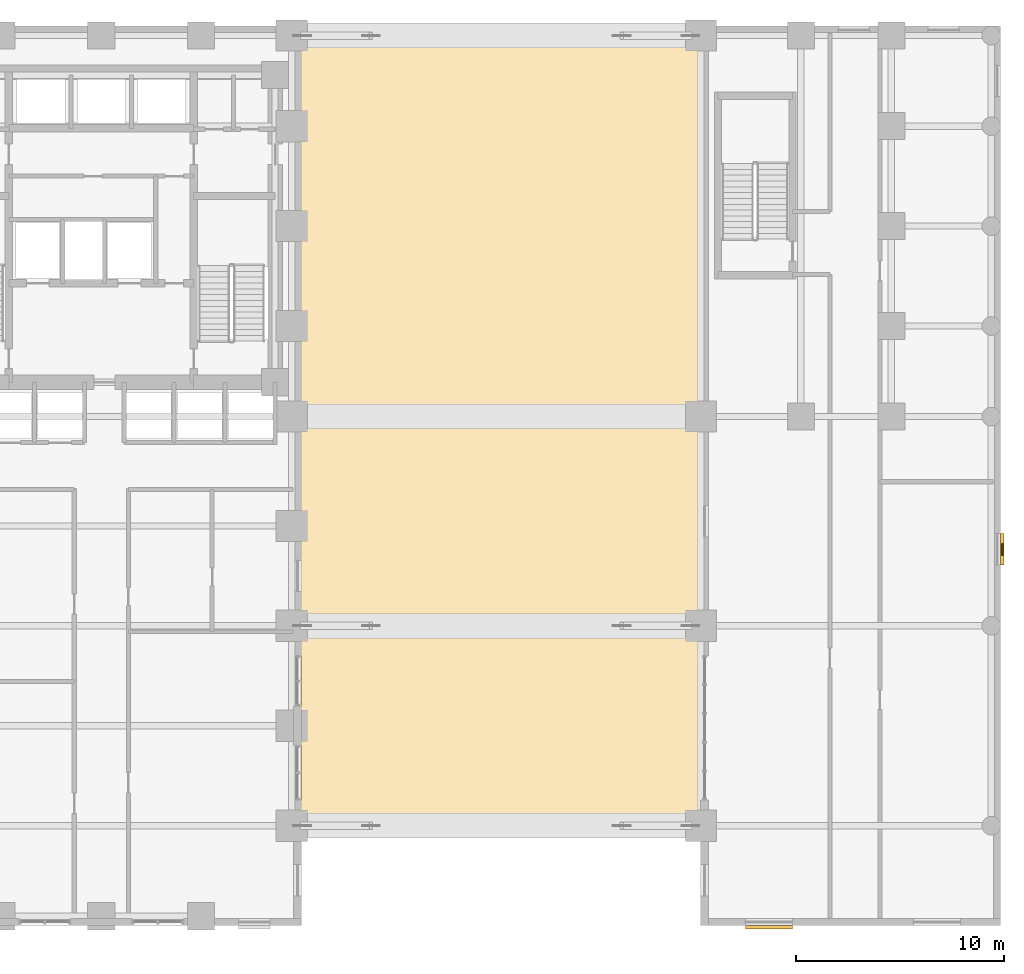
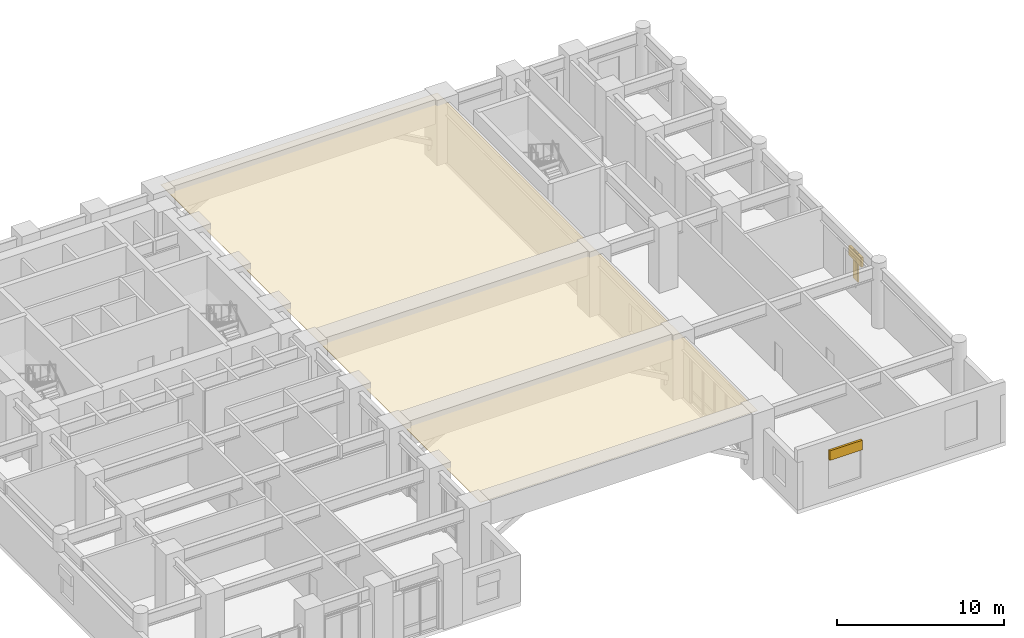
# One storey, part 11 of 12: 3 shading devices, 1 covering.
"""IFC4 building model written with IfcOpenShell, lengths in metres."""

from ifc_helpers import new_model, si_unit, direction, frame, origin, origin_2d, place, context, subcontext, project, spatial, polyline, rectangle, outline, extrude, material, layer, layer_set, type_object, element, save


model = new_model("IFC4")

# Units and contexts
model_context = context("Model", 3, precision=1e-05, world=origin(), true_north=direction((0.0, 1.0)))
body_context = subcontext(model_context, "Body", "Model", "MODEL_VIEW")
ifc_project = project(units=[si_unit("LENGTHUNIT", "METRE"), si_unit("AREAUNIT", "SQUARE_METRE"), si_unit("VOLUMEUNIT", "CUBIC_METRE"), si_unit("PLANEANGLEUNIT", "RADIAN"), si_unit("MASSUNIT", "GRAM", prefix="KILO")], contexts=[model_context])

# Site, building, storey
site_placement = place(None, origin())
site = spatial("IfcSite", under=ifc_project, at=site_placement, CompositionType="ELEMENT")
building_placement = place(site_placement, origin())
building = spatial("IfcBuilding", under=site, at=building_placement, Name="Orvandelia Arch Residences", CompositionType="ELEMENT")
storey_placement = place(building_placement, frame((0.0, 0.0, 10.0)))
storey = spatial("IfcBuildingStorey", under=building, at=storey_placement, Name="L02", CompositionType="ELEMENT", Elevation=10.0)

# Covering
ifc_material_1 = material(Name="Anodised Bronze Soffit Cladding")
ifc_layer = layer(ifc_material_1, 0.02490234375, Name="Anodised Bronze Soffit Cladding")
ifc_layer_set = layer_set([ifc_layer], Name="Anodised Bronze Soffit Cladding")
covering_type = type_object("IfcCoveringType", Name="COV-SOFFIT-ALU", PredefinedType="WRAPPING", material=ifc_layer_set)
covering_placement = place(storey_placement, frame((0.0, 0.0, 4.375)))
element("IfcCovering", 1, at=covering_placement, inside=storey, type_object=covering_type, Name="Giant Street Arch Acoustic Bronze Soffit", PredefinedType="WRAPPING", context=body_context, shape_type="SweptSolid", body=[
    extrude(outline(polyline([(24.0, 9.60009765625), (43.199951171875, 9.60009765625), (43.199951171875, 48.0), (24.0, 48.0), (24.0, 9.60009765625)])), origin(), (0.0, 0.0, 1.0), 0.02490234375),
])

# Shading devices
ifc_material_2 = material(Name="Anodised Champagne-Bronze Extruded Aluminium", Category="aluminium")
shading_device_type_1 = type_object("IfcShadingDeviceType", Name="SHD-JALOUSIE-SCREEN", PredefinedType="JALOUSIE", material=ifc_material_2)
shading_device_1_placement = place(storey_placement, frame((57.679931640625, 22.875, 2.25), z_axis=(0.0, 0.0, 1.0), x_axis=(0.0, -1.0, 0.0)))
element("IfcShadingDevice", 2, at=shading_device_1_placement, inside=storey, type_object=shading_device_type_1, Name="Bronze Jalousie Sun-Shade L02-003", PredefinedType="JALOUSIE", context=body_context, shape_type="SweptSolid", body=[
    extrude(rectangle(XDim=1.5, YDim=0.159912109375, at=origin_2d()), origin(), (0.0, 0.0, 1.0), 0.699951171875),
])
shading_device_2_placement = place(storey_placement, frame((46.465087890625, 4.719970703125, 3.0), z_axis=(0.0, 0.0, 1.0), x_axis=(-1.0, 0.0, 0.0)))
element("IfcShadingDevice", 3, at=shading_device_2_placement, inside=storey, type_object=shading_device_type_1, Name="Bronze Jalousie Sun-Shade L02-004", PredefinedType="JALOUSIE", context=body_context, shape_type="SweptSolid", body=[
    extrude(rectangle(XDim=2.25, YDim=0.159912109375, at=origin_2d()), origin(), (0.0, 0.0, 1.0), 0.699951171875),
])
ifc_material_3 = material(Name="Marine-Grade Perforated Aluminium Storm Shutter", Category="aluminium")
shading_device_type_2 = type_object("IfcShadingDeviceType", Name="SHD-STORM-SHUTTER", PredefinedType="SHUTTER", material=ifc_material_3)
shading_device_3_placement = place(storey_placement, frame((57.679931640625, 22.875, 0.849853515625), z_axis=(0.0, 0.0, 1.0), x_axis=(0.0, -1.0, 0.0)))
element("IfcShadingDevice", 4, at=shading_device_3_placement, inside=storey, type_object=shading_device_type_2, Name="Operable Typhoon Storm Shutter L02-003", PredefinedType="SHUTTER", context=body_context, shape_type="SweptSolid", body=[
    extrude(rectangle(XDim=0.550048828125, YDim=0.080078125, at=origin_2d()), origin(), (0.0, 0.0, 1.0), 2.10009765625),
])

save(model, "model.ifc")
